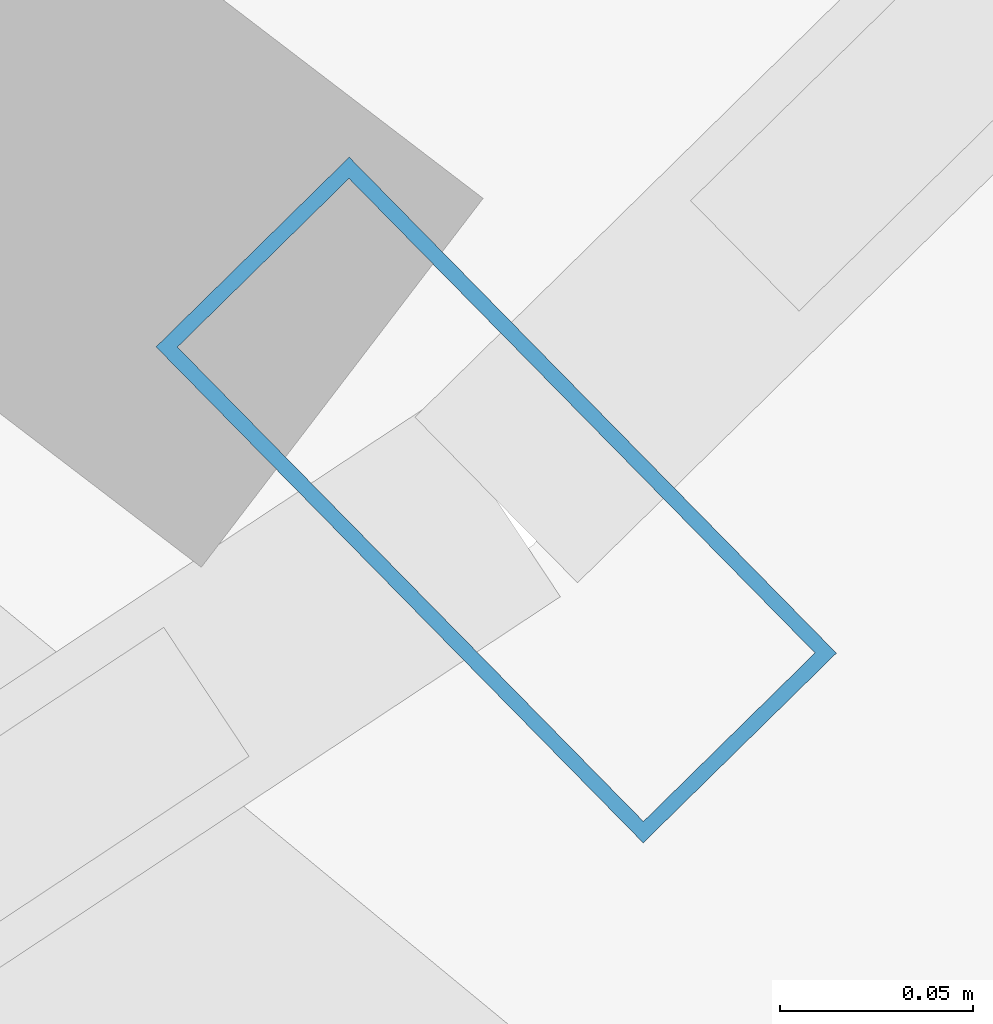
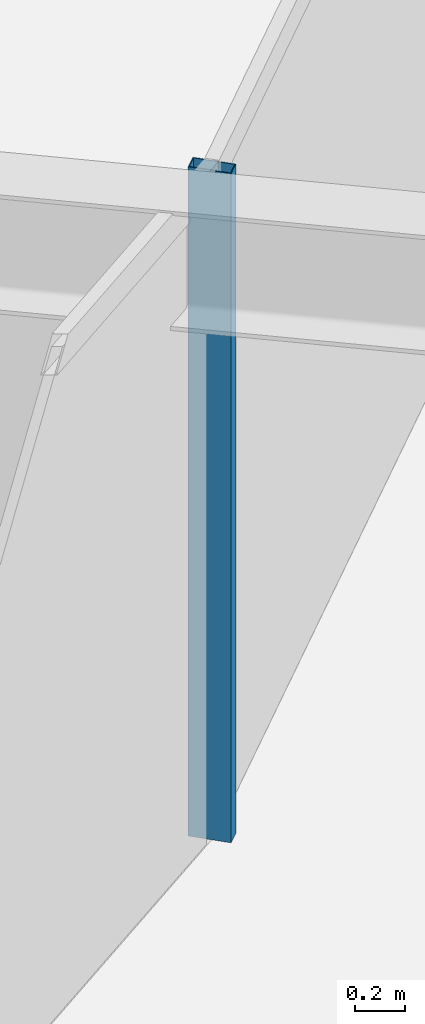
# One storey, part 9 of 20: 1 member, 1 element without a shape of its own.
"""IFC4 building model written with IfcOpenShell, lengths in metres."""

from ifc_helpers import new_model, si_unit, direction, frame, origin, origin_2d, place, context, subcontext, project, spatial, hollow_rectangle, extrude, material, layer, layer_set, material_profile, profile_set, type_object, element, aggregate, save


model = new_model("IFC4")

# Units and contexts
model_context = context("Model", 3, precision=1e-05, world=origin(), true_north=direction((0.0, 1.0)))
body_context = subcontext(model_context, "Body", "Model", "MODEL_VIEW")
ifc_project = project(units=[si_unit("LENGTHUNIT", "METRE"), si_unit("AREAUNIT", "SQUARE_METRE"), si_unit("VOLUMEUNIT", "CUBIC_METRE"), si_unit("PLANEANGLEUNIT", "RADIAN"), si_unit("MASSUNIT", "GRAM", prefix="KILO")], contexts=[model_context])

# Site, building, storey
site_placement = place(None, origin())
site = spatial("IfcSite", under=ifc_project, at=site_placement, CompositionType="ELEMENT")
building_placement = place(site_placement, origin())
building = spatial("IfcBuilding", under=site, at=building_placement, Name="Veldorina Hangang Commons", CompositionType="ELEMENT")
storey_placement = place(building_placement, frame((0.0, 0.0, 48.39990234375)))
storey = spatial("IfcBuildingStorey", under=building, at=storey_placement, Name="L11", CompositionType="ELEMENT", Elevation=48.39990234375)

# Curtain wall, member
ifc_material_1 = material(Name="Glass Low-E Triple IGU", Category="glass")
ifc_layer = layer(ifc_material_1, 0.179931640625)
ifc_layer_set = layer_set([ifc_layer], Name="Glass Low-E Triple IGU")
curtain_wall_type = type_object("IfcCurtainWallType", Name="CW-SYS-Z1", PredefinedType="NOTDEFINED", material=ifc_layer_set)
curtain_wall_placement = place(storey_placement, origin())
curtain_wall = element("IfcCurtainWall", 1, at=curtain_wall_placement, inside=storey, type_object=curtain_wall_type, Name="L11 unitised curtain wall CW-L11-R2", PredefinedType="NOTDEFINED")
ifc_material_2 = material(Name="Aluminium Anodized AA6063-T6", Category="aluminium")
ifc_material_profile = material_profile(ifc_material_2, hollow_rectangle(XDim=0.070068359375, YDim=0.179931640625, WallThickness=0.00390625, at=origin_2d()), Name="ALU-RHS-180x70x4")
ifc_profile_set = profile_set([ifc_material_profile], Name="Aluminium Anodized AA6063-T6")
member_type = type_object("IfcMemberType", Name="CW-MUL-180", PredefinedType="MULLION", material=ifc_profile_set)
member_placement = place(storey_placement, frame((50.227783203125, 9.3076171875, 0.0), z_axis=(0.0, 0.0, 1.0), x_axis=(0.713433922326, 0.700722511751, 0.0)))
member = element("IfcMember", 2, at=member_placement, type_object=member_type, Name="CW-L11-R2 vertical mullion 4", PredefinedType="MULLION", context=body_context, shape_type="SweptSolid", body=[
    extrude(hollow_rectangle(XDim=0.070068359375, YDim=0.179931640625, WallThickness=0.00390625, at=origin_2d()), origin(), (0.0, 0.0, 1.0), 3.300048828125),
])
aggregate(curtain_wall, [member])

save(model, "model.ifc")
